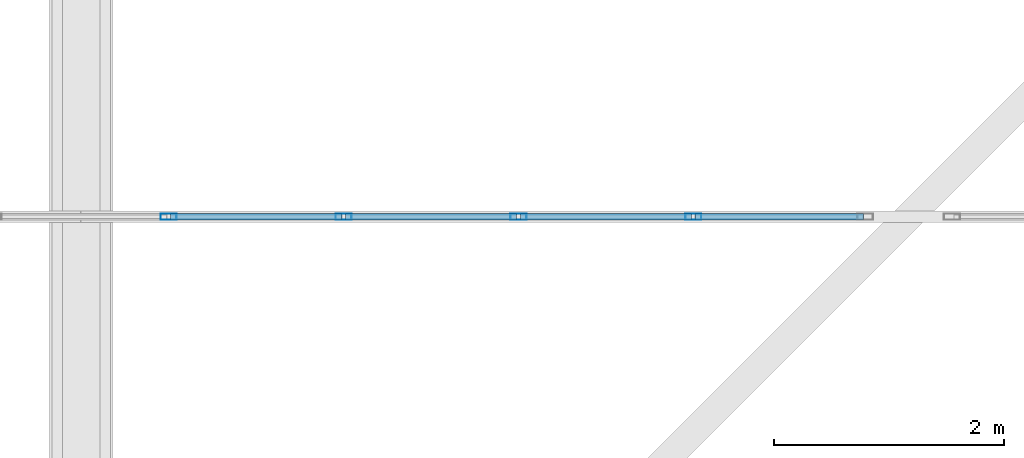
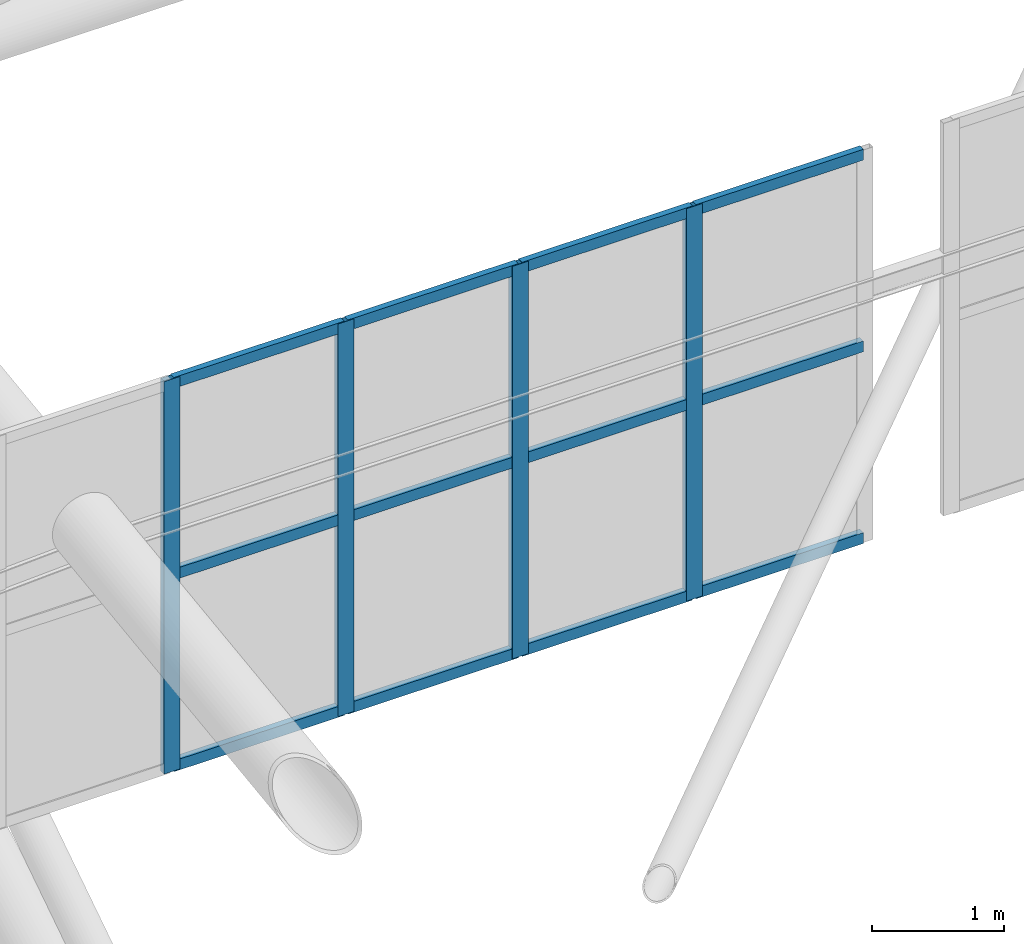
# One storey, part 42 of 397: 16 members, 1 element without a shape of its own.
"""IFC4 building model written with IfcOpenShell, lengths in metres."""

from ifc_helpers import new_model, si_unit, direction, frame, origin, origin_2d, place, context, subcontext, project, spatial, hollow_rectangle, extrude, material, material_profile, profile_set, type_object, element, aggregate, save


model = new_model("IFC4")

# Units and contexts
model_context = context("Model", 3, precision=1e-05, world=origin(), true_north=direction((0.0, 1.0)))
body_context = subcontext(model_context, "Body", "Model", "MODEL_VIEW")
ifc_project = project(units=[si_unit("LENGTHUNIT", "METRE"), si_unit("AREAUNIT", "SQUARE_METRE"), si_unit("VOLUMEUNIT", "CUBIC_METRE"), si_unit("PLANEANGLEUNIT", "RADIAN"), si_unit("MASSUNIT", "GRAM", prefix="KILO")], contexts=[model_context])

# Site, building, storey
site_placement = place(None, origin())
site = spatial("IfcSite", under=ifc_project, at=site_placement, CompositionType="ELEMENT")
building_placement = place(site_placement, origin())
building = spatial("IfcBuilding", under=site, at=building_placement, Name="Qandorah Velis Arena", CompositionType="ELEMENT")
storey_placement = place(building_placement, frame((0.0, 0.0, 27.5)))
storey = spatial("IfcBuildingStorey", under=building, at=storey_placement, Name="RF", CompositionType="ELEMENT", Elevation=27.5)

# Curtain wall, members
ifc_material_1 = material(Name="Solar-control low-E double glazing", Category="glass")
curtain_wall_type = type_object("IfcCurtainWallType", Name="ARC-CW-SYS21", PredefinedType="USERDEFINED", material=ifc_material_1)
curtain_wall_placement = place(storey_placement, origin())
curtain_wall = element("IfcCurtainWall", 1, at=curtain_wall_placement, inside=storey, type_object=curtain_wall_type, Name="Unitised curtain wall MON-3-3", ObjectType="UNITISED CURTAIN WALL", PredefinedType="USERDEFINED")
ifc_material_2 = material(Name="Champagne-bronze anodized aluminium 6063-T6", Category="aluminium")
ifc_material_profile_1 = material_profile(ifc_material_2, hollow_rectangle(XDim=0.054931640625, YDim=0.139892578125, WallThickness=0.0029296875, at=origin_2d()), Name="ALU MULLION 55x140")
ifc_profile_set_1 = profile_set([ifc_material_profile_1], Name="Champagne-bronze anodized aluminium 6063-T6")
member_type_1 = type_object("IfcMemberType", Name="ARC-CWM-140", PredefinedType="MULLION", material=ifc_profile_set_1)
member_1_placement = place(storey_placement, frame((58.361083984375, 21.60009765625, 6.064697265625), z_axis=(0.0, 0.0, 1.0), x_axis=(0.0, 1.0, 0.0)))
member_1 = element("IfcMember", 2, at=member_1_placement, type_object=member_type_1, Name="CW21 mullion 6", PredefinedType="MULLION", context=body_context, shape_type="SweptSolid", body=[
    extrude(hollow_rectangle(XDim=0.054931640625, YDim=0.139892578125, WallThickness=0.0029296875, at=origin_2d()), origin(), (0.0, 0.0, 1.0), 3.6298828125),
])
member_2_placement = place(storey_placement, frame((59.88330078125, 21.60009765625, 6.064697265625), z_axis=(0.0, 0.0, 1.0), x_axis=(0.0, 1.0, 0.0)))
member_2 = element("IfcMember", 3, at=member_2_placement, type_object=member_type_1, Name="CW21 mullion 7", PredefinedType="MULLION", context=body_context, shape_type="SweptSolid", body=[
    extrude(hollow_rectangle(XDim=0.054931640625, YDim=0.139892578125, WallThickness=0.0029296875, at=origin_2d()), origin(), (0.0, 0.0, 1.0), 3.6298828125),
])
member_3_placement = place(storey_placement, frame((61.405517578125, 21.60009765625, 6.064697265625), z_axis=(0.0, 0.0, 1.0), x_axis=(0.0, 1.0, 0.0)))
member_3 = element("IfcMember", 4, at=member_3_placement, type_object=member_type_1, Name="CW21 mullion 8", PredefinedType="MULLION", context=body_context, shape_type="SweptSolid", body=[
    extrude(hollow_rectangle(XDim=0.054931640625, YDim=0.139892578125, WallThickness=0.0029296875, at=origin_2d()), origin(), (0.0, 0.0, 1.0), 3.6298828125),
])
member_4_placement = place(storey_placement, frame((62.927734375, 21.60009765625, 6.064697265625), z_axis=(0.0, 0.0, 1.0), x_axis=(0.0, 1.0, 0.0)))
member_4 = element("IfcMember", 5, at=member_4_placement, type_object=member_type_1, Name="CW21 mullion 9", PredefinedType="MULLION", context=body_context, shape_type="SweptSolid", body=[
    extrude(hollow_rectangle(XDim=0.054931640625, YDim=0.139892578125, WallThickness=0.0029296875, at=origin_2d()), origin(), (0.0, 0.0, 1.0), 3.6298828125),
])
ifc_material_profile_2 = material_profile(ifc_material_2, hollow_rectangle(XDim=0.054931640625, YDim=0.10009765625, WallThickness=0.0029296875, at=origin_2d()), Name="ALU TRANSOM 55x100")
ifc_profile_set_2 = profile_set([ifc_material_profile_2], Name="Champagne-bronze anodized aluminium 6063-T6")
member_type_2 = type_object("IfcMemberType", Name="ARC-CWT-100", PredefinedType="USERDEFINED", material=ifc_profile_set_2)
member_5_placement = place(storey_placement, frame((58.376708984375, 21.60009765625, 6.107177734375), z_axis=(1.0, 0.0, 0.0), x_axis=(0.0, 1.0, 0.0)))
member_5 = element("IfcMember", 6, at=member_5_placement, type_object=member_type_2, Name="CW21 transom 6.1", ObjectType="TRANSOM", PredefinedType="USERDEFINED", context=body_context, shape_type="SweptSolid", body=[
    extrude(hollow_rectangle(XDim=0.054931640625, YDim=0.10009765625, WallThickness=0.0029296875, at=origin_2d()), origin(), (0.0, 0.0, 1.0), 1.4912109375),
])
member_6_placement = place(storey_placement, frame((58.376708984375, 21.60009765625, 7.879638671875), z_axis=(1.0, 0.0, 0.0), x_axis=(0.0, 1.0, 0.0)))
member_6 = element("IfcMember", 7, at=member_6_placement, type_object=member_type_2, Name="CW21 transom 6.2", ObjectType="TRANSOM", PredefinedType="USERDEFINED", context=body_context, shape_type="SweptSolid", body=[
    extrude(hollow_rectangle(XDim=0.054931640625, YDim=0.10009765625, WallThickness=0.0029296875, at=origin_2d()), origin(), (0.0, 0.0, 1.0), 1.4912109375),
])
member_7_placement = place(storey_placement, frame((58.376708984375, 21.60009765625, 9.652099609375), z_axis=(1.0, 0.0, 0.0), x_axis=(0.0, 1.0, 0.0)))
member_7 = element("IfcMember", 8, at=member_7_placement, type_object=member_type_2, Name="CW21 transom 6.3", ObjectType="TRANSOM", PredefinedType="USERDEFINED", context=body_context, shape_type="SweptSolid", body=[
    extrude(hollow_rectangle(XDim=0.054931640625, YDim=0.10009765625, WallThickness=0.0029296875, at=origin_2d()), origin(), (0.0, 0.0, 1.0), 1.4912109375),
])
member_8_placement = place(storey_placement, frame((59.898681640625, 21.60009765625, 6.107177734375), z_axis=(1.0, 0.0, 0.0), x_axis=(0.0, 1.0, 0.0)))
member_8 = element("IfcMember", 9, at=member_8_placement, type_object=member_type_2, Name="CW21 transom 7.1", ObjectType="TRANSOM", PredefinedType="USERDEFINED", context=body_context, shape_type="SweptSolid", body=[
    extrude(hollow_rectangle(XDim=0.054931640625, YDim=0.10009765625, WallThickness=0.0029296875, at=origin_2d()), origin(), (0.0, 0.0, 1.0), 1.491455078125),
])
member_9_placement = place(storey_placement, frame((59.898681640625, 21.60009765625, 7.879638671875), z_axis=(1.0, 0.0, 0.0), x_axis=(0.0, 1.0, 0.0)))
member_9 = element("IfcMember", 10, at=member_9_placement, type_object=member_type_2, Name="CW21 transom 7.2", ObjectType="TRANSOM", PredefinedType="USERDEFINED", context=body_context, shape_type="SweptSolid", body=[
    extrude(hollow_rectangle(XDim=0.054931640625, YDim=0.10009765625, WallThickness=0.0029296875, at=origin_2d()), origin(), (0.0, 0.0, 1.0), 1.491455078125),
])
member_10_placement = place(storey_placement, frame((59.898681640625, 21.60009765625, 9.652099609375), z_axis=(1.0, 0.0, 0.0), x_axis=(0.0, 1.0, 0.0)))
member_10 = element("IfcMember", 11, at=member_10_placement, type_object=member_type_2, Name="CW21 transom 7.3", ObjectType="TRANSOM", PredefinedType="USERDEFINED", context=body_context, shape_type="SweptSolid", body=[
    extrude(hollow_rectangle(XDim=0.054931640625, YDim=0.10009765625, WallThickness=0.0029296875, at=origin_2d()), origin(), (0.0, 0.0, 1.0), 1.491455078125),
])
member_11_placement = place(storey_placement, frame((61.421142578125, 21.60009765625, 6.107177734375), z_axis=(1.0, 0.0, 0.0), x_axis=(0.0, 1.0, 0.0)))
member_11 = element("IfcMember", 12, at=member_11_placement, type_object=member_type_2, Name="CW21 transom 8.1", ObjectType="TRANSOM", PredefinedType="USERDEFINED", context=body_context, shape_type="SweptSolid", body=[
    extrude(hollow_rectangle(XDim=0.054931640625, YDim=0.10009765625, WallThickness=0.0029296875, at=origin_2d()), origin(), (0.0, 0.0, 1.0), 1.4912109375),
])
member_12_placement = place(storey_placement, frame((61.421142578125, 21.60009765625, 7.879638671875), z_axis=(1.0, 0.0, 0.0), x_axis=(0.0, 1.0, 0.0)))
member_12 = element("IfcMember", 13, at=member_12_placement, type_object=member_type_2, Name="CW21 transom 8.2", ObjectType="TRANSOM", PredefinedType="USERDEFINED", context=body_context, shape_type="SweptSolid", body=[
    extrude(hollow_rectangle(XDim=0.054931640625, YDim=0.10009765625, WallThickness=0.0029296875, at=origin_2d()), origin(), (0.0, 0.0, 1.0), 1.4912109375),
])
member_13_placement = place(storey_placement, frame((61.421142578125, 21.60009765625, 9.652099609375), z_axis=(1.0, 0.0, 0.0), x_axis=(0.0, 1.0, 0.0)))
member_13 = element("IfcMember", 14, at=member_13_placement, type_object=member_type_2, Name="CW21 transom 8.3", ObjectType="TRANSOM", PredefinedType="USERDEFINED", context=body_context, shape_type="SweptSolid", body=[
    extrude(hollow_rectangle(XDim=0.054931640625, YDim=0.10009765625, WallThickness=0.0029296875, at=origin_2d()), origin(), (0.0, 0.0, 1.0), 1.4912109375),
])
member_14_placement = place(storey_placement, frame((62.943359375, 21.60009765625, 6.107177734375), z_axis=(1.0, 0.0, 0.0), x_axis=(0.0, 1.0, 0.0)))
member_14 = element("IfcMember", 15, at=member_14_placement, type_object=member_type_2, Name="CW21 transom 9.1", ObjectType="TRANSOM", PredefinedType="USERDEFINED", context=body_context, shape_type="SweptSolid", body=[
    extrude(hollow_rectangle(XDim=0.054931640625, YDim=0.10009765625, WallThickness=0.0029296875, at=origin_2d()), origin(), (0.0, 0.0, 1.0), 1.463623046875),
])
member_15_placement = place(storey_placement, frame((62.943359375, 21.60009765625, 7.879638671875), z_axis=(1.0, 0.0, 0.0), x_axis=(0.0, 1.0, 0.0)))
member_15 = element("IfcMember", 16, at=member_15_placement, type_object=member_type_2, Name="CW21 transom 9.2", ObjectType="TRANSOM", PredefinedType="USERDEFINED", context=body_context, shape_type="SweptSolid", body=[
    extrude(hollow_rectangle(XDim=0.054931640625, YDim=0.10009765625, WallThickness=0.0029296875, at=origin_2d()), origin(), (0.0, 0.0, 1.0), 1.463623046875),
])
member_16_placement = place(storey_placement, frame((62.943359375, 21.60009765625, 9.652099609375), z_axis=(1.0, 0.0, 0.0), x_axis=(0.0, 1.0, 0.0)))
member_16 = element("IfcMember", 17, at=member_16_placement, type_object=member_type_2, Name="CW21 transom 9.3", ObjectType="TRANSOM", PredefinedType="USERDEFINED", context=body_context, shape_type="SweptSolid", body=[
    extrude(hollow_rectangle(XDim=0.054931640625, YDim=0.10009765625, WallThickness=0.0029296875, at=origin_2d()), origin(), (0.0, 0.0, 1.0), 1.463623046875),
])
aggregate(curtain_wall, [member_1, member_2, member_3, member_4, member_5, member_6, member_7, member_8, member_9, member_10, member_11, member_12, member_13, member_14, member_15, member_16])

save(model, "model.ifc")
